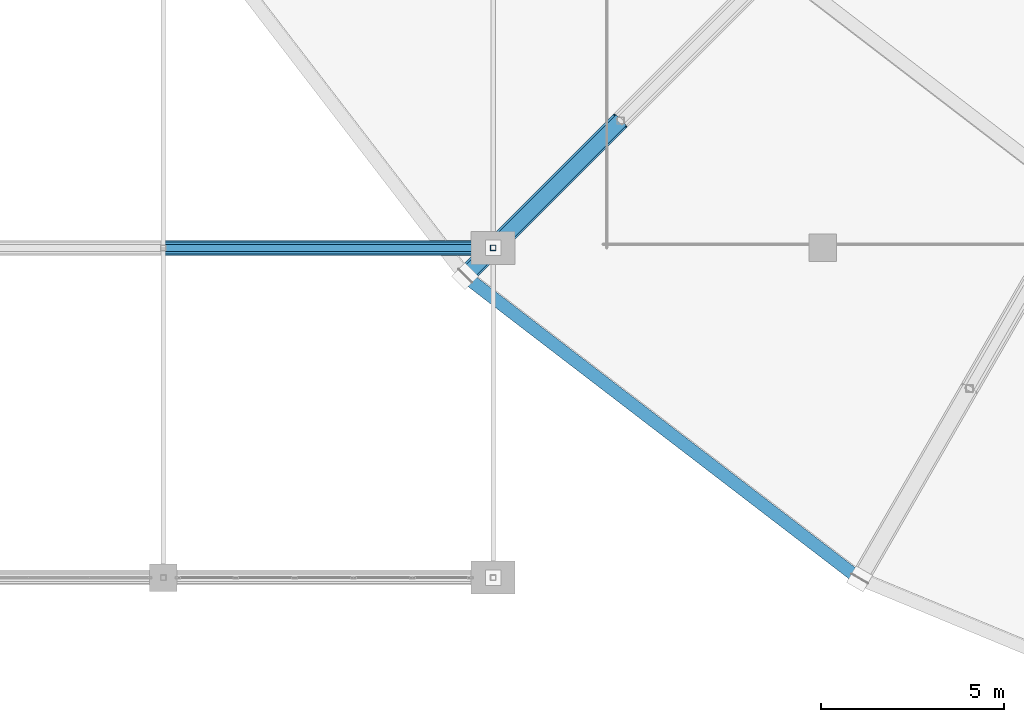
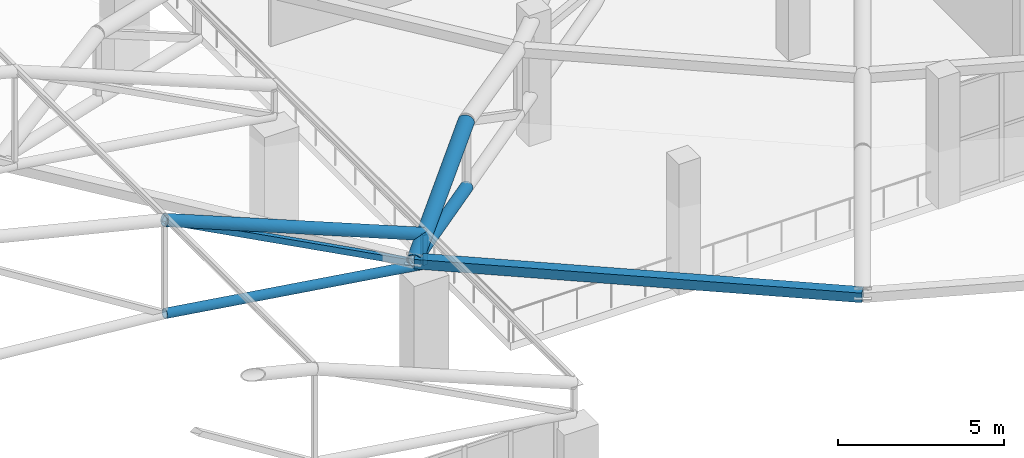
# One storey, part 18 of 167: 7 members.
"""IFC4 building model written with IfcOpenShell, lengths in metres."""

import ifcopenshell
import ifcopenshell.guid

model = None  # the IFC model being written
_history = None  # IfcOwnerHistory: only IFC2X3 demands one
_inside = {}  # id of a spatial element -> (the spatial element, [elements in it])
_under = {}  # id of a project, library or spatial element -> (it, [spatial elements below it])
_declared = {}  # id of a project -> (the project, [libraries it declares])
_typed = {}  # id of a type object -> (the type object, [elements of that type])
_made_of = {}  # id of a material, layer set ... -> (it, [elements and type objects made of it])


def new_model(schema):
    """Start an empty IFC model of exactly this schema.

    Asked for "IFC4X3", IfcOpenShell would pick the latest addendum, in which some entities
    have other attributes; the version numbers below select the first issue.
    IFC2X3 requires an IfcOwnerHistory on every rooted entity: one is made here for all.
    """
    global model, _history
    if schema == "IFC4X3":
        model = ifcopenshell.file(schema_version=(4, 3, 0, 0))
    else:
        model = ifcopenshell.file(schema=schema)
    _inside.clear()
    _under.clear()
    _declared.clear()
    _typed.clear()
    _made_of.clear()
    _history = None
    if model.schema == "IFC2X3":
        org = make("IfcOrganization", Name="unknown")
        user = make(
            "IfcPersonAndOrganization",
            ThePerson=make("IfcPerson", FamilyName="unknown"),
            TheOrganization=org,
        )
        app = make(
            "IfcApplication",
            ApplicationDeveloper=org,
            Version="unknown",
            ApplicationFullName="unknown",
            ApplicationIdentifier="unknown",
        )
        _history = make(
            "IfcOwnerHistory",
            OwningUser=user,
            OwningApplication=app,
            ChangeAction="ADDED",
            CreationDate=0,
        )
    return model


def make(cls, **values):
    """One entity of the class cls with the attributes given. An attribute that is None is left unset."""
    return model.create_entity(
        cls, **{name: value for name, value in values.items() if value is not None}
    )


def rooted(cls, **values):
    """An entity with a GlobalId (a new one), such as an element, a storey or a relation."""
    return make(cls, GlobalId=ifcopenshell.guid.new(), OwnerHistory=_history, **values)


def si_unit(unit_type, name, prefix=None):
    """IfcSIUnit, for example si_unit("LENGTHUNIT", "METRE", prefix="MILLI")."""
    return make("IfcSIUnit", UnitType=unit_type, Prefix=prefix, Name=name)


def assignment(units):
    """IfcUnitAssignment: the units of a project."""
    return None if units is None else make("IfcUnitAssignment", Units=units)


def point(xyz):
    """IfcCartesianPoint."""
    return None if xyz is None else make("IfcCartesianPoint", Coordinates=xyz)


def direction(xyz):
    """IfcDirection."""
    return None if xyz is None else make("IfcDirection", DirectionRatios=xyz)


def frame(location, z_axis=None, x_axis=None):
    """IfcAxis2Placement3D, a coordinate frame: its origin and axes. An axis left out is left unset."""
    return make(
        "IfcAxis2Placement3D",
        Location=point(location),
        Axis=direction(z_axis),
        RefDirection=direction(x_axis),
    )


def frame_2d(location, x_axis=None):
    """IfcAxis2Placement2D, a coordinate frame in the plane: its origin and x axis."""
    return make(
        "IfcAxis2Placement2D", Location=point(location), RefDirection=direction(x_axis)
    )


def origin():
    """The frame at (0, 0, 0) with its axes left unset."""
    return frame((0.0, 0.0, 0.0))


def origin_2d():
    """The frame at (0, 0) in the plane with its x axis left unset."""
    return frame_2d((0.0, 0.0))


def place(relative_to, where):
    """IfcLocalPlacement: puts the frame where relative to a parent placement (None: the world)."""
    return make(
        "IfcLocalPlacement", PlacementRelTo=relative_to, RelativePlacement=where
    )


def context(
    kind, dimensions, precision=None, world=None, true_north=None, identifier=None
):
    """IfcGeometricRepresentationContext, for example the 3D "Model" context."""
    return make(
        "IfcGeometricRepresentationContext",
        ContextIdentifier=identifier,
        ContextType=kind,
        CoordinateSpaceDimension=dimensions,
        Precision=precision,
        WorldCoordinateSystem=world,
        TrueNorth=true_north,
    )


def subcontext(parent, identifier, kind, view, scale=None):
    """IfcGeometricRepresentationSubContext, for example "Body" below "Model"."""
    return make(
        "IfcGeometricRepresentationSubContext",
        ContextIdentifier=identifier,
        ContextType=kind,
        ParentContext=parent,
        TargetScale=scale,
        TargetView=view,
    )


def project(units=None, contexts=None):
    """IfcProject with its units and contexts."""
    return rooted(
        "IfcProject",
        Name="project",
        RepresentationContexts=contexts,
        UnitsInContext=assignment(units),
    )


def spatial(cls, under=None, at=None, **own):
    """A site, building, storey or space (cls), placed at a placement, below another one or the project."""
    s = rooted(cls, ObjectPlacement=at, **own)
    if under is not None:
        _under.setdefault(under.id(), (under, []))[1].append(s)
    return s


def profile(cls, at=None, kind="AREA", **sizes):
    """A parametric profile (cls). Its sizes go by their IFC names, for example OverallWidth=200.0."""
    return make(cls, ProfileType=kind, Position=at, **sizes)


def hollow_rectangle(**sizes):
    """IfcRectangleHollowProfileDef."""
    return profile("IfcRectangleHollowProfileDef", **sizes)


def hollow_circle(**sizes):
    """IfcCircleHollowProfileDef."""
    return profile("IfcCircleHollowProfileDef", **sizes)


def extrude(swept, where, along, depth):
    """IfcExtrudedAreaSolid: the profile swept, set in the frame where, extruded along a direction by depth."""
    return make(
        "IfcExtrudedAreaSolid",
        SweptArea=swept,
        Position=where,
        ExtrudedDirection=direction(along),
        Depth=depth,
    )


def shape(context_of_items, identifier, shape_type, items):
    """IfcShapeRepresentation: the items that make up one representation, for example the "Body"."""
    return make(
        "IfcShapeRepresentation",
        ContextOfItems=context_of_items,
        RepresentationIdentifier=identifier,
        RepresentationType=shape_type,
        Items=items,
    )


def material(Name=None, Category=None):
    """IfcMaterial."""
    return make("IfcMaterial", Name=Name, Category=Category)


def material_profile(
    of_material, cross_section, Name=None, Category=None, Priority=None
):
    """IfcMaterialProfile: a cross section and its material."""
    return make(
        "IfcMaterialProfile",
        Name=Name,
        Material=of_material,
        Profile=cross_section,
        Priority=Priority,
        Category=Category,
    )


def profile_set(profiles, Name=None, composite=None):
    """IfcMaterialProfileSet."""
    return make(
        "IfcMaterialProfileSet",
        Name=Name,
        MaterialProfiles=profiles,
        CompositeProfile=composite,
    )


def made_of(thing, what):
    """Note that an element or type object is made of a material, layer set ...; save() writes the relation."""
    if what is not None:
        _made_of.setdefault(what.id(), (what, []))[1].append(thing)
    return thing


def type_object(cls, material=None, **own):
    """A type object (cls), such as IfcWallType, which elements share."""
    return made_of(rooted(cls, **own), material)


def element(
    cls,
    number,
    at=None,
    inside=None,
    cuts=None,
    type_object=None,
    material=None,
    context=None,
    identifier="Body",
    shape_type=None,
    held_by="IfcProductDefinitionShape",
    body=None,
    shapes=None,
    **own,
):
    """One element of the class cls, such as IfcWall. Its Tag is "e" and its number.

    at: its placement. inside: the storey or other place that contains it. cuts: it is an
    opening in that element (IfcRelVoidsElement). A single representation is given by context,
    identifier, shape_type and body (its items); several are given by shapes. held_by: the class
    of the entity that holds the representations. save() writes the other relations.
    """
    e = rooted(cls, Tag="e%d" % number, ObjectPlacement=at, **own)
    if body is not None:
        shapes = [shape(context, identifier, shape_type, body)]
    if shapes is not None:
        e.Representation = make(held_by, Representations=shapes)
    if inside is not None:
        _inside.setdefault(inside.id(), (inside, []))[1].append(e)
    if cuts is not None:
        rooted(
            "IfcRelVoidsElement", RelatingBuildingElement=cuts, RelatedOpeningElement=e
        )
    if type_object is not None:
        _typed.setdefault(type_object.id(), (type_object, []))[1].append(e)
    return made_of(e, material)


def aggregate(whole, parts):
    """IfcRelAggregates: a whole, such as a stair, and the parts it consists of."""
    return rooted("IfcRelAggregates", RelatingObject=whole, RelatedObjects=parts)


def save(model, path):
    """Write the relations noted so far, then the file.

    IfcRelAggregates (storeys below a building ...), IfcRelContainedInSpatialStructure (elements
    in a storey), IfcRelDefinesByType, IfcRelAssociatesMaterial and IfcRelDeclares: one each for
    every whole, place, type object, material and project.
    """
    for whole, parts in _under.values():
        aggregate(whole, parts)
    for where, things in _inside.values():
        rooted(
            "IfcRelContainedInSpatialStructure",
            RelatedElements=things,
            RelatingStructure=where,
        )
    for kind, things in _typed.values():
        rooted("IfcRelDefinesByType", RelatedObjects=things, RelatingType=kind)
    for what, things in _made_of.values():
        rooted("IfcRelAssociatesMaterial", RelatedObjects=things, RelatingMaterial=what)
    for by, libraries in _declared.values():
        rooted("IfcRelDeclares", RelatingContext=by, RelatedDefinitions=libraries)
    model.write(path)


model = new_model("IFC4")

# Units and contexts
model_context = context("Model", 3, precision=1e-05, world=origin(), true_north=direction((0.0, 1.0)))
body_context = subcontext(model_context, "Body", "Model", "MODEL_VIEW")
ifc_project = project(units=[si_unit("LENGTHUNIT", "METRE"), si_unit("AREAUNIT", "SQUARE_METRE"), si_unit("VOLUMEUNIT", "CUBIC_METRE"), si_unit("PLANEANGLEUNIT", "RADIAN"), si_unit("MASSUNIT", "GRAM", prefix="KILO")], contexts=[model_context])

# Site, building, storey
site_placement = place(None, origin())
site = spatial("IfcSite", under=ifc_project, at=site_placement, CompositionType="ELEMENT")
building_placement = place(site_placement, origin())
building = spatial("IfcBuilding", under=site, at=building_placement, Name="Dornveld Trade and Exhibition Forum", CompositionType="ELEMENT")
storey_placement = place(building_placement, frame((0.0, 0.0, 16.800048828125)))
storey = spatial("IfcBuildingStorey", under=building, at=storey_placement, Name="L03", CompositionType="ELEMENT", Elevation=16.800048828125)

# Members
ifc_material_1 = material(Name="Steel S355J2", Category="steel")
ifc_material_profile_1 = material_profile(ifc_material_1, hollow_circle(Radius=0.161865234375, WallThickness=0.01611328125, at=origin_2d()), Name="CHS 323.9x16")
ifc_profile_set_1 = profile_set([ifc_material_profile_1], Name="Steel S355J2")
member_type_1 = type_object("IfcMemberType", Name="MEM-ARCH-BC", PredefinedType="CHORD", material=ifc_profile_set_1)
member_1_placement = place(storey_placement, frame((72.0, 45.0, 5.283203125), z_axis=(0.989204758987, 0.0, -0.146539908551), x_axis=(0.0, 1.0, 0.0)))
element("IfcMember", 1, at=member_1_placement, inside=storey, type_object=member_type_1, Name="H3 truss 2 tie chord 6", PredefinedType="CHORD", context=body_context, shape_type="SweptSolid", body=[
    extrude(hollow_circle(Radius=0.161865234375, WallThickness=0.01611328125, at=origin_2d()), origin(), (0.0, 0.0, 1.0), 9.09814453125),
])
ifc_material_2 = material(Name="Steel S355J2", Category="steel")
ifc_material_profile_2 = material_profile(ifc_material_2, hollow_rectangle(XDim=0.14990234375, YDim=0.14990234375, WallThickness=0.008056640625, at=origin_2d()), Name="SHS 150x150x8")
ifc_profile_set_2 = profile_set([ifc_material_profile_2], Name="Steel S355J2")
member_type_2 = type_object("IfcMemberType", Name="MEM-ARCH-STR", PredefinedType="STRUT", material=ifc_profile_set_2)
member_2_placement = place(storey_placement, frame((81.0, 45.0, 3.949951171875), z_axis=(0.0, 0.0, 1.0), x_axis=(1.0, 0.0, 0.0)))
element("IfcMember", 2, at=member_2_placement, inside=storey, type_object=member_type_2, Name="H3 truss 2 end strut", PredefinedType="STRUT", context=body_context, shape_type="SweptSolid", body=[
    extrude(hollow_rectangle(XDim=0.14990234375, YDim=0.14990234375, WallThickness=0.008056640625, at=origin_2d()), origin(), (0.0, 0.0, 1.0), 1.10009765625),
])
ifc_material_3 = material(Name="Steel S355J2", Category="steel")
ifc_material_profile_3 = material_profile(ifc_material_3, hollow_circle(Radius=0.203125, WallThickness=0.02001953125, at=origin_2d()), Name="CHS 406.4x20")
ifc_profile_set_3 = profile_set([ifc_material_profile_3], Name="Steel S355J2")
member_type_3 = type_object("IfcMemberType", Name="MEM-ARCH-TC", PredefinedType="CHORD", material=ifc_profile_set_3)
member_3_placement = place(storey_placement, frame((72.0, 45.0, 8.716552734375), z_axis=(0.926098211611, 0.0, -0.377282523383), x_axis=(0.0, 1.0, 0.0)))
element("IfcMember", 3, at=member_3_placement, inside=storey, type_object=member_type_3, Name="H3 truss 2 top chord 6", PredefinedType="CHORD", context=body_context, shape_type="SweptSolid", body=[
    extrude(hollow_circle(Radius=0.203125, WallThickness=0.02001953125, at=origin_2d()), origin(), (0.0, 0.0, 1.0), 9.71826171875),
])
ifc_material_4 = material(Name="Steel S355J2", Category="steel")
ifc_material_profile_4 = material_profile(ifc_material_4, hollow_rectangle(XDim=0.199951171875, YDim=0.199951171875, WallThickness=0.010009765625, at=origin_2d()), Name="SHS 200x200x10")
ifc_profile_set_4 = profile_set([ifc_material_profile_4], Name="Steel S355J2")
member_type_4 = type_object("IfcMemberType", Name="MEM-ARCH-WEB", PredefinedType="BRACE", material=ifc_profile_set_4)
member_4_placement = place(storey_placement, frame((81.0, 45.0, 3.949951171875), z_axis=(-0.883710934211, 0.0, 0.468033102201), x_axis=(0.0, -1.0, 0.0)))
element("IfcMember", 4, at=member_4_placement, inside=storey, type_object=member_type_4, Name="H3 truss 2 web 6", PredefinedType="BRACE", context=body_context, shape_type="SweptSolid", body=[
    extrude(hollow_rectangle(XDim=0.199951171875, YDim=0.199951171875, WallThickness=0.010009765625, at=origin_2d()), origin(), (0.0, 0.0, 1.0), 10.184326171875),
])
ifc_material_5 = material(Name="Steel S355J2", Category="steel")
ifc_material_profile_5 = material_profile(ifc_material_5, hollow_circle(Radius=0.203125, WallThickness=0.02001953125, at=origin_2d()), Name="CHS 406.4x20")
ifc_profile_set_5 = profile_set([ifc_material_profile_5], Name="Steel S355J2")
member_type_5 = type_object("IfcMemberType", Name="MEM-DISC-BC", PredefinedType="CHORD", material=ifc_profile_set_5)
member_5_placement = place(storey_placement, frame((84.47314453125, 48.47314453125, 3.437744140625), z_axis=(-0.68955639355, -0.68955639355, 0.221413550236), x_axis=(0.707106781187, -0.707106781187, 0.0)))
element("IfcMember", 5, at=member_5_placement, inside=storey, type_object=member_type_5, Name="Roof disc radial R16 conical bottom chord 4", PredefinedType="CHORD", context=body_context, shape_type="SweptSolid", body=[
    extrude(hollow_circle(Radius=0.203125, WallThickness=0.02001953125, at=origin_2d()), origin(), (0.0, 0.0, 1.0), 6.15283203125),
])
ifc_material_6 = material(Name="Steel S355J2", Category="steel")
ifc_material_profile_6 = material_profile(ifc_material_6, hollow_rectangle(XDim=0.35009765625, YDim=0.35009765625, WallThickness=0.01611328125, at=origin_2d()), Name="SHS 350x350x16")
ifc_profile_set_6 = profile_set([ifc_material_profile_6], Name="Steel S355J2")
member_type_6 = type_object("IfcMemberType", Name="MEM-DISC-RING", PredefinedType="CHORD", material=ifc_profile_set_6)
member_6_placement = place(storey_placement, frame((80.23046875, 44.23046875, 4.800048828125), z_axis=(0.79335619014, -0.608757714995, 0.0), x_axis=(0.608757714995, 0.79335619014, 0.0)))
element("IfcMember", 6, at=member_6_placement, inside=storey, type_object=member_type_6, Name="Roof disc ring 4 chord 16", PredefinedType="CHORD", context=body_context, shape_type="SweptSolid", body=[
    extrude(hollow_rectangle(XDim=0.35009765625, YDim=0.35009765625, WallThickness=0.01611328125, at=origin_2d()), origin(), (0.0, 0.0, 1.0), 13.57470703125),
])
ifc_material_7 = material(Name="Steel S355J2", Category="steel")
ifc_material_profile_7 = material_profile(ifc_material_7, hollow_circle(Radius=0.25390625, WallThickness=0.02490234375, at=origin_2d()), Name="CHS 508x25")
ifc_profile_set_7 = profile_set([ifc_material_profile_7], Name="Steel S355J2")
member_type_7 = type_object("IfcMemberType", Name="MEM-DISC-TC", PredefinedType="CHORD", material=ifc_profile_set_7)
member_7_placement = place(storey_placement, frame((84.47314453125, 48.47314453125, 5.875), z_axis=(-0.696024764871, -0.696024764871, -0.176349236951), x_axis=(0.707106781187, -0.707106781187, 0.0)))
element("IfcMember", 7, at=member_7_placement, inside=storey, type_object=member_type_7, Name="Roof disc radial R16 top chord 4", PredefinedType="CHORD", context=body_context, shape_type="SweptSolid", body=[
    extrude(hollow_circle(Radius=0.25390625, WallThickness=0.02490234375, at=origin_2d()), origin(), (0.0, 0.0, 1.0), 6.095703125),
])

save(model, "model.ifc")
